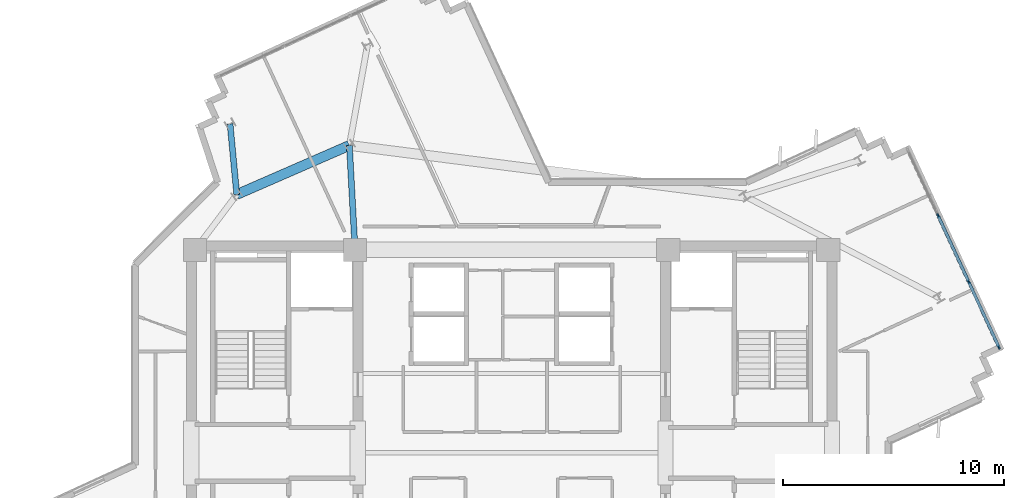
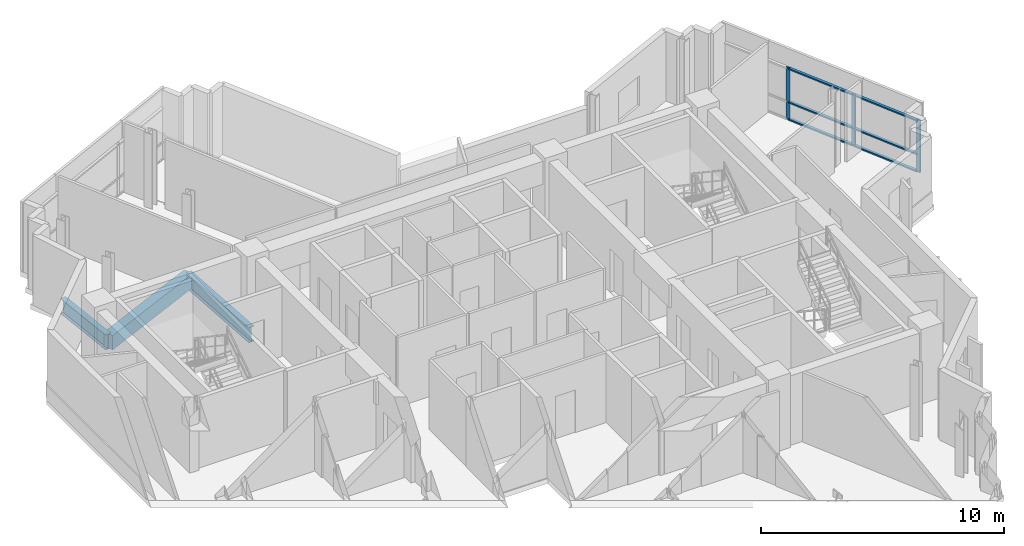
# One storey, part 2 of 12: 9 members, 3 beams, 1 element without a shape of its own.
"""IFC4 building model written with IfcOpenShell, lengths in metres."""

from ifc_helpers import new_model, si_unit, direction, frame, origin, origin_2d, place, context, subcontext, project, spatial, rectangle, i_section, extrude, source, transform, mapped, material, layer, layer_set, material_profile, profile_set, type_object, element, aggregate, save


model = new_model("IFC4")

# Units and contexts
model_context = context("Model", 3, precision=1e-05, world=origin(), true_north=direction((0.0, 1.0)))
body_context = subcontext(model_context, "Body", "Model", "MODEL_VIEW")
ifc_project = project(units=[si_unit("LENGTHUNIT", "METRE"), si_unit("AREAUNIT", "SQUARE_METRE"), si_unit("VOLUMEUNIT", "CUBIC_METRE"), si_unit("PLANEANGLEUNIT", "RADIAN"), si_unit("MASSUNIT", "GRAM", prefix="KILO")], contexts=[model_context])

# Site, building, storey
site_placement = place(None, origin())
site = spatial("IfcSite", under=ifc_project, at=site_placement, CompositionType="ELEMENT")
building_placement = place(site_placement, origin())
building = spatial("IfcBuilding", under=site, at=building_placement, Name="Zahravan Cultural Tower", CompositionType="ELEMENT")
storey_placement = place(building_placement, frame((0.0, 0.0, 239.10009765625)))
storey = spatial("IfcBuildingStorey", under=building, at=storey_placement, Name="L56", CompositionType="ELEMENT", Elevation=239.10009765625)

# Beams
ifc_material_1 = material(Name="Steel ASTM A992 Grade 50", Category="steel")
ifc_material_profile_1 = material_profile(ifc_material_1, i_section(OverallWidth=0.26708984375, OverallDepth=0.761962890625, WebThickness=0.014404296875, FlangeThickness=0.021484375, FilletRadius=0.01904296875, at=origin_2d()), Name="W30X116")
ifc_profile_set_1 = profile_set([ifc_material_profile_1], Name="Steel ASTM A992 Grade 50")
beam_type_1 = type_object("IfcBeamType", Name="BM-G-W30X116", PredefinedType="BEAM", material=ifc_profile_set_1)
shared_shape_1 = source(origin(), body_context, "Body", "SweptSolid", [
    extrude(i_section(OverallWidth=0.26708984375, OverallDepth=0.761962890625, WebThickness=0.014404296875, FlangeThickness=0.021484375, FilletRadius=0.01904296875, at=origin_2d()), origin(), (0.0, 0.0, 1.0), 4.744384765625),
])
beam_1_placement = place(storey_placement, frame((28.89990234375, 36.199951171875, -0.631103515625), z_axis=(-0.054238739845, 0.998527996152, 0.0), x_axis=(-0.998527996152, -0.054238739845, 0.0)))
element("IfcBeam", 1, at=beam_1_placement, inside=storey, type_object=beam_type_1, Name="L56 Beam BG-L56-10", PredefinedType="BEAM", context=body_context, shape_type="MappedRepresentation", body=[
    mapped(shared_shape_1, transform((0.0, 0.0, 0.0), x_axis=(1.0, 0.0, 0.0), y_axis=(0.0, 1.0, 0.0), z_axis=(0.0, 0.0, 1.0), scale=1.0)),
])
shared_shape_2 = source(origin(), body_context, "Body", "SweptSolid", [
    extrude(i_section(OverallWidth=0.26708984375, OverallDepth=0.761962890625, WebThickness=0.014404296875, FlangeThickness=0.021484375, FilletRadius=0.01904296875, at=origin_2d()), origin(), (0.0, 0.0, 1.0), 3.218017578125),
])
beam_2_placement = place(storey_placement, frame((23.536376953125, 38.710693359375, -0.631103515625), z_axis=(-0.094454641962, 0.995529166128, 0.0), x_axis=(-0.995529166128, -0.094454641962, 0.0)))
element("IfcBeam", 2, at=beam_2_placement, inside=storey, type_object=beam_type_1, Name="L56 Beam BG-L56-15", PredefinedType="BEAM", context=body_context, shape_type="MappedRepresentation", body=[
    mapped(shared_shape_2, transform((0.0, 0.0, 0.0), x_axis=(1.0, 0.0, 0.0), y_axis=(0.0, 1.0, 0.0), z_axis=(0.0, 0.0, 1.0), scale=1.0)),
])
ifc_material_2 = material(Name="Concrete C45/55", Category="concrete")
ifc_material_profile_2 = material_profile(ifc_material_2, rectangle(XDim=0.449951171875, YDim=0.719970703125, at=origin_2d()), Name="RC450X720")
ifc_profile_set_2 = profile_set([ifc_material_profile_2], Name="Concrete C45/55")
beam_type_2 = type_object("IfcBeamType", Name="BM-SP-RC450X720", PredefinedType="SPANDREL", material=ifc_profile_set_2)
shared_shape_3 = source(origin(), body_context, "Body", "SweptSolid", [
    extrude(rectangle(XDim=0.449951171875, YDim=0.719970703125, at=origin_2d()), origin(), (0.0, 0.0, 1.0), 5.570556640625),
])
beam_3_placement = place(storey_placement, frame((28.642578125, 40.937255859375, -0.610107421875), z_axis=(-0.9166445026, -0.399703459896, 0.0), x_axis=(0.399703459896, -0.9166445026, 0.0)))
element("IfcBeam", 3, at=beam_3_placement, inside=storey, type_object=beam_type_2, Name="L56 Beam SP-L56-23", PredefinedType="SPANDREL", context=body_context, shape_type="MappedRepresentation", body=[
    mapped(shared_shape_3, transform((0.0, 0.0, 0.0), x_axis=(1.0, 0.0, 0.0), y_axis=(0.0, 1.0, 0.0), z_axis=(0.0, 0.0, 1.0), scale=1.0)),
])

# Curtain wall, members
ifc_material_3 = material(Name="Anodised bronze-aluminium mullion", Category="aluminium")
ifc_layer = layer(ifc_material_3, 0.179931640625)
ifc_layer_set = layer_set([ifc_layer], Name="Anodised bronze-aluminium mullion")
curtain_wall_type = type_object("IfcCurtainWallType", Name="CW-SYS-3", PredefinedType="USERDEFINED", material=ifc_layer_set)
curtain_wall_placement = place(storey_placement, origin())
curtain_wall = element("IfcCurtainWall", 4, at=curtain_wall_placement, inside=storey, type_object=curtain_wall_type, Name="L56 Recessed Curtain Wall CW-3.1", ObjectType="RECESSED GLAZING", PredefinedType="USERDEFINED")
ifc_material_profile_3 = material_profile(ifc_material_3, rectangle(XDim=0.139892578125, YDim=0.070068359375, at=origin_2d()), Name="AL-T70X140")
ifc_profile_set_3 = profile_set([ifc_material_profile_3], Name="Anodised bronze-aluminium mullion")
member_type_1 = type_object("IfcMemberType", Name="CWT-CW-3", PredefinedType="USERDEFINED", material=ifc_profile_set_3)
shared_shape_4 = source(origin(), body_context, "Body", "SweptSolid", [
    extrude(rectangle(XDim=0.139892578125, YDim=0.070068359375, at=origin_2d()), origin(), (0.0, 0.0, 1.0), 3.236572265625),
])
member_1_placement = place(storey_placement, frame((55.3466796875, 37.72216796875, 0.034912109375), z_axis=(0.419483868857, -0.907762790474, 0.0), x_axis=(0.907762790474, 0.419483868857, 0.0)))
member_1 = element("IfcMember", 5, at=member_1_placement, type_object=member_type_1, Name="CW-3 transom 2.1", ObjectType="TRANSOM", PredefinedType="USERDEFINED", context=body_context, shape_type="MappedRepresentation", body=[
    mapped(shared_shape_4, transform((0.0, 0.0, 0.0), x_axis=(1.0, 0.0, 0.0), y_axis=(0.0, 1.0, 0.0), z_axis=(0.0, 0.0, 1.0), scale=1.0)),
])
member_2_placement = place(storey_placement, frame((55.3466796875, 37.72216796875, 0.89990234375), z_axis=(0.419483868857, -0.907762790474, 0.0), x_axis=(0.907762790474, 0.419483868857, 0.0)))
member_2 = element("IfcMember", 6, at=member_2_placement, type_object=member_type_1, Name="CW-3 transom 2.2", ObjectType="TRANSOM", PredefinedType="USERDEFINED", context=body_context, shape_type="MappedRepresentation", body=[
    mapped(shared_shape_4, transform((0.0, 0.0, 0.0), x_axis=(1.0, 0.0, 0.0), y_axis=(0.0, 1.0, 0.0), z_axis=(0.0, 0.0, 1.0), scale=1.0)),
])
member_3_placement = place(storey_placement, frame((55.3466796875, 37.72216796875, 2.5849609375), z_axis=(0.419483868857, -0.907762790474, 0.0), x_axis=(0.907762790474, 0.419483868857, 0.0)))
member_3 = element("IfcMember", 7, at=member_3_placement, type_object=member_type_1, Name="CW-3 transom 2.3", ObjectType="TRANSOM", PredefinedType="USERDEFINED", context=body_context, shape_type="MappedRepresentation", body=[
    mapped(shared_shape_4, transform((0.0, 0.0, 0.0), x_axis=(1.0, 0.0, 0.0), y_axis=(0.0, 1.0, 0.0), z_axis=(0.0, 0.0, 1.0), scale=1.0)),
])
shared_shape_5 = source(origin(), body_context, "Body", "SweptSolid", [
    extrude(rectangle(XDim=0.139892578125, YDim=0.070068359375, at=origin_2d()), origin(), (0.0, 0.0, 1.0), 3.201416015625),
])
member_4_placement = place(storey_placement, frame((56.73388671875, 34.720458984375, 0.034912109375), z_axis=(0.41942567534, -0.907789679863, 0.0), x_axis=(0.907789679863, 0.41942567534, 0.0)))
member_4 = element("IfcMember", 8, at=member_4_placement, type_object=member_type_1, Name="CW-3 transom 3.1", ObjectType="TRANSOM", PredefinedType="USERDEFINED", context=body_context, shape_type="MappedRepresentation", body=[
    mapped(shared_shape_5, transform((0.0, 0.0, 0.0), x_axis=(1.0, 0.0, 0.0), y_axis=(0.0, 1.0, 0.0), z_axis=(0.0, 0.0, 1.0), scale=1.0)),
])
member_5_placement = place(storey_placement, frame((56.73388671875, 34.720458984375, 0.89990234375), z_axis=(0.41942567534, -0.907789679863, 0.0), x_axis=(0.907789679863, 0.41942567534, 0.0)))
member_5 = element("IfcMember", 9, at=member_5_placement, type_object=member_type_1, Name="CW-3 transom 3.2", ObjectType="TRANSOM", PredefinedType="USERDEFINED", context=body_context, shape_type="MappedRepresentation", body=[
    mapped(shared_shape_5, transform((0.0, 0.0, 0.0), x_axis=(1.0, 0.0, 0.0), y_axis=(0.0, 1.0, 0.0), z_axis=(0.0, 0.0, 1.0), scale=1.0)),
])
member_6_placement = place(storey_placement, frame((56.73388671875, 34.720458984375, 2.5849609375), z_axis=(0.41942567534, -0.907789679863, 0.0), x_axis=(0.907789679863, 0.41942567534, 0.0)))
member_6 = element("IfcMember", 10, at=member_6_placement, type_object=member_type_1, Name="CW-3 transom 3.3", ObjectType="TRANSOM", PredefinedType="USERDEFINED", context=body_context, shape_type="MappedRepresentation", body=[
    mapped(shared_shape_5, transform((0.0, 0.0, 0.0), x_axis=(1.0, 0.0, 0.0), y_axis=(0.0, 1.0, 0.0), z_axis=(0.0, 0.0, 1.0), scale=1.0)),
])
ifc_material_profile_4 = material_profile(ifc_material_3, rectangle(XDim=0.070068359375, YDim=0.179931640625, at=origin_2d()), Name="AL-M70X180")
ifc_profile_set_4 = profile_set([ifc_material_profile_4], Name="Anodised bronze-aluminium mullion")
member_type_2 = type_object("IfcMemberType", Name="CWM-CW-3", PredefinedType="MULLION", material=ifc_profile_set_4)
shared_shape_6 = source(origin(), body_context, "Body", "SweptSolid", [
    extrude(rectangle(XDim=0.070068359375, YDim=0.179931640625, at=origin_2d()), origin(), (0.0, 0.0, 1.0), 2.619873046875),
])
member_7_placement = place(storey_placement, frame((55.33203125, 37.75390625, 0.0), z_axis=(0.0, 0.0, 1.0), x_axis=(0.907775189262, 0.419457036846, 0.0)))
member_7 = element("IfcMember", 11, at=member_7_placement, type_object=member_type_2, Name="CW-3 mullion 2", PredefinedType="MULLION", context=body_context, shape_type="MappedRepresentation", body=[
    mapped(shared_shape_6, transform((0.0, 0.0, 0.0), x_axis=(1.0, 0.0, 0.0), y_axis=(0.0, 1.0, 0.0), z_axis=(0.0, 0.0, 1.0), scale=1.0)),
])
member_8_placement = place(storey_placement, frame((56.718994140625, 34.752197265625, 0.0), z_axis=(0.0, 0.0, 1.0), x_axis=(0.907775189262, 0.419457036846, 0.0)))
member_8 = element("IfcMember", 12, at=member_8_placement, type_object=member_type_2, Name="CW-3 mullion 3", PredefinedType="MULLION", context=body_context, shape_type="MappedRepresentation", body=[
    mapped(shared_shape_6, transform((0.0, 0.0, 0.0), x_axis=(1.0, 0.0, 0.0), y_axis=(0.0, 1.0, 0.0), z_axis=(0.0, 0.0, 1.0), scale=1.0)),
])
member_9_placement = place(storey_placement, frame((58.09130859375, 31.782470703125, 0.0), z_axis=(0.0, 0.0, 1.0), x_axis=(0.907775189262, 0.419457036846, 0.0)))
member_9 = element("IfcMember", 13, at=member_9_placement, type_object=member_type_2, Name="CW-3 mullion 4", PredefinedType="MULLION", context=body_context, shape_type="MappedRepresentation", body=[
    mapped(shared_shape_6, transform((0.0, 0.0, 0.0), x_axis=(1.0, 0.0, 0.0), y_axis=(0.0, 1.0, 0.0), z_axis=(0.0, 0.0, 1.0), scale=1.0)),
])
aggregate(curtain_wall, [member_7, member_8, member_9, member_1, member_2, member_3, member_4, member_5, member_6])

save(model, "model.ifc")
